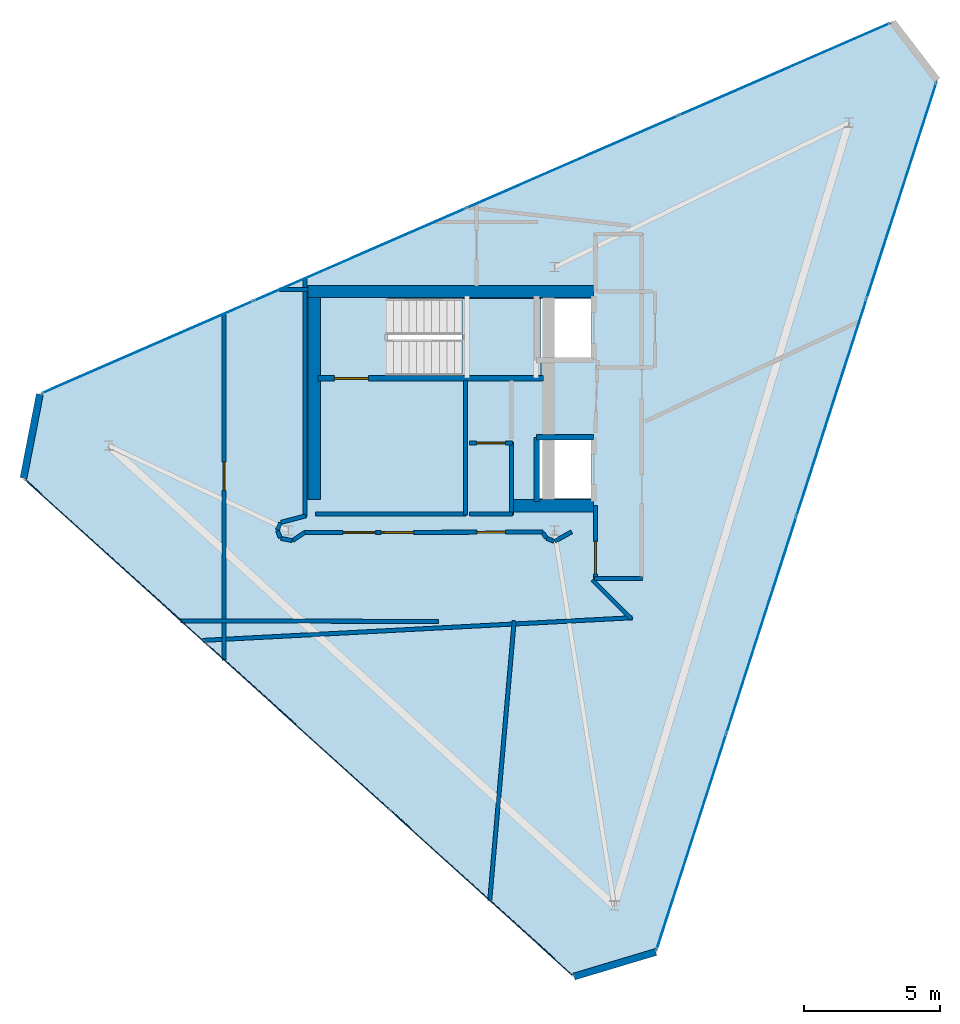
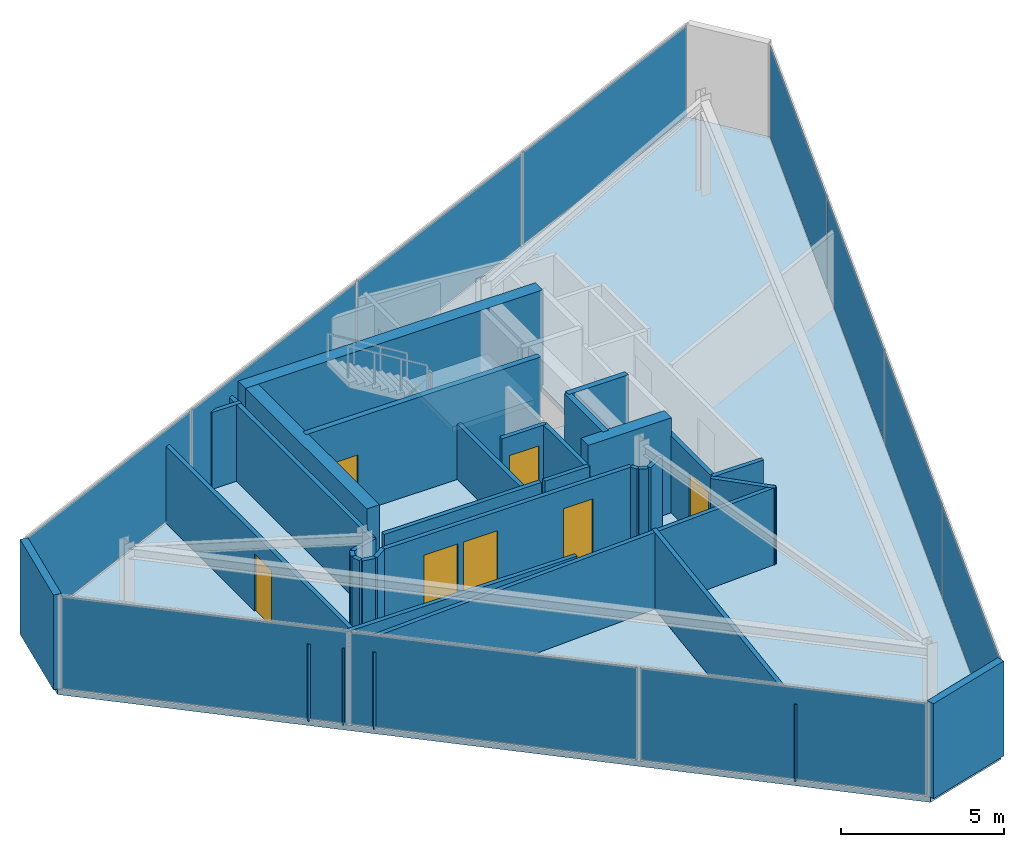
# One storey, part 13 of 15: 31 walls, 11 plates, 7 doors, 2 slabs, 7 openings, 4 elements without a shape of their own.
"""IFC4 building model written with IfcOpenShell, lengths in metres."""

import ifcopenshell
import ifcopenshell.guid

model = None  # the IFC model being written
_history = None  # IfcOwnerHistory: only IFC2X3 demands one
_inside = {}  # id of a spatial element -> (the spatial element, [elements in it])
_under = {}  # id of a project, library or spatial element -> (it, [spatial elements below it])
_declared = {}  # id of a project -> (the project, [libraries it declares])
_typed = {}  # id of a type object -> (the type object, [elements of that type])
_made_of = {}  # id of a material, layer set ... -> (it, [elements and type objects made of it])


def new_model(schema):
    """Start an empty IFC model of exactly this schema.

    Asked for "IFC4X3", IfcOpenShell would pick the latest addendum, in which some entities
    have other attributes; the version numbers below select the first issue.
    IFC2X3 requires an IfcOwnerHistory on every rooted entity: one is made here for all.
    """
    global model, _history
    if schema == "IFC4X3":
        model = ifcopenshell.file(schema_version=(4, 3, 0, 0))
    else:
        model = ifcopenshell.file(schema=schema)
    _inside.clear()
    _under.clear()
    _declared.clear()
    _typed.clear()
    _made_of.clear()
    _history = None
    if model.schema == "IFC2X3":
        org = make("IfcOrganization", Name="unknown")
        user = make(
            "IfcPersonAndOrganization",
            ThePerson=make("IfcPerson", FamilyName="unknown"),
            TheOrganization=org,
        )
        app = make(
            "IfcApplication",
            ApplicationDeveloper=org,
            Version="unknown",
            ApplicationFullName="unknown",
            ApplicationIdentifier="unknown",
        )
        _history = make(
            "IfcOwnerHistory",
            OwningUser=user,
            OwningApplication=app,
            ChangeAction="ADDED",
            CreationDate=0,
        )
    return model


def make(cls, **values):
    """One entity of the class cls with the attributes given. An attribute that is None is left unset."""
    return model.create_entity(
        cls, **{name: value for name, value in values.items() if value is not None}
    )


def rooted(cls, **values):
    """An entity with a GlobalId (a new one), such as an element, a storey or a relation."""
    return make(cls, GlobalId=ifcopenshell.guid.new(), OwnerHistory=_history, **values)


def si_unit(unit_type, name, prefix=None):
    """IfcSIUnit, for example si_unit("LENGTHUNIT", "METRE", prefix="MILLI")."""
    return make("IfcSIUnit", UnitType=unit_type, Prefix=prefix, Name=name)


def assignment(units):
    """IfcUnitAssignment: the units of a project."""
    return None if units is None else make("IfcUnitAssignment", Units=units)


def point(xyz):
    """IfcCartesianPoint."""
    return None if xyz is None else make("IfcCartesianPoint", Coordinates=xyz)


def direction(xyz):
    """IfcDirection."""
    return None if xyz is None else make("IfcDirection", DirectionRatios=xyz)


def frame(location, z_axis=None, x_axis=None):
    """IfcAxis2Placement3D, a coordinate frame: its origin and axes. An axis left out is left unset."""
    return make(
        "IfcAxis2Placement3D",
        Location=point(location),
        Axis=direction(z_axis),
        RefDirection=direction(x_axis),
    )


def frame_2d(location, x_axis=None):
    """IfcAxis2Placement2D, a coordinate frame in the plane: its origin and x axis."""
    return make(
        "IfcAxis2Placement2D", Location=point(location), RefDirection=direction(x_axis)
    )


def origin():
    """The frame at (0, 0, 0) with its axes left unset."""
    return frame((0.0, 0.0, 0.0))


def origin_2d():
    """The frame at (0, 0) in the plane with its x axis left unset."""
    return frame_2d((0.0, 0.0))


def place(relative_to, where):
    """IfcLocalPlacement: puts the frame where relative to a parent placement (None: the world)."""
    return make(
        "IfcLocalPlacement", PlacementRelTo=relative_to, RelativePlacement=where
    )


def context(
    kind, dimensions, precision=None, world=None, true_north=None, identifier=None
):
    """IfcGeometricRepresentationContext, for example the 3D "Model" context."""
    return make(
        "IfcGeometricRepresentationContext",
        ContextIdentifier=identifier,
        ContextType=kind,
        CoordinateSpaceDimension=dimensions,
        Precision=precision,
        WorldCoordinateSystem=world,
        TrueNorth=true_north,
    )


def subcontext(parent, identifier, kind, view, scale=None):
    """IfcGeometricRepresentationSubContext, for example "Body" below "Model"."""
    return make(
        "IfcGeometricRepresentationSubContext",
        ContextIdentifier=identifier,
        ContextType=kind,
        ParentContext=parent,
        TargetScale=scale,
        TargetView=view,
    )


def project(units=None, contexts=None):
    """IfcProject with its units and contexts."""
    return rooted(
        "IfcProject",
        Name="project",
        RepresentationContexts=contexts,
        UnitsInContext=assignment(units),
    )


def spatial(cls, under=None, at=None, **own):
    """A site, building, storey or space (cls), placed at a placement, below another one or the project."""
    s = rooted(cls, ObjectPlacement=at, **own)
    if under is not None:
        _under.setdefault(under.id(), (under, []))[1].append(s)
    return s


def polyline(points):
    """IfcPolyline through the points."""
    return make("IfcPolyline", Points=[point(p) for p in points])


def profile(cls, at=None, kind="AREA", **sizes):
    """A parametric profile (cls). Its sizes go by their IFC names, for example OverallWidth=200.0."""
    return make(cls, ProfileType=kind, Position=at, **sizes)


def rectangle(**sizes):
    """IfcRectangleProfileDef."""
    return profile("IfcRectangleProfileDef", **sizes)


def outline(outer, holes=None, kind="AREA"):
    """IfcArbitraryClosedProfileDef: a profile drawn as a closed curve; with holes, ...WithVoids."""
    if holes is None:
        return make("IfcArbitraryClosedProfileDef", ProfileType=kind, OuterCurve=outer)
    return make(
        "IfcArbitraryProfileDefWithVoids",
        ProfileType=kind,
        OuterCurve=outer,
        InnerCurves=holes,
    )


def extrude(swept, where, along, depth):
    """IfcExtrudedAreaSolid: the profile swept, set in the frame where, extruded along a direction by depth."""
    return make(
        "IfcExtrudedAreaSolid",
        SweptArea=swept,
        Position=where,
        ExtrudedDirection=direction(along),
        Depth=depth,
    )


def shape(context_of_items, identifier, shape_type, items):
    """IfcShapeRepresentation: the items that make up one representation, for example the "Body"."""
    return make(
        "IfcShapeRepresentation",
        ContextOfItems=context_of_items,
        RepresentationIdentifier=identifier,
        RepresentationType=shape_type,
        Items=items,
    )


def material(Name=None, Category=None):
    """IfcMaterial."""
    return make("IfcMaterial", Name=Name, Category=Category)


def layer(
    of_material, thickness, ventilated=None, Name=None, Category=None, Priority=None
):
    """IfcMaterialLayer: one layer of a wall or slab, of a material (None: an air gap)."""
    return make(
        "IfcMaterialLayer",
        Material=of_material,
        LayerThickness=thickness,
        IsVentilated=ventilated,
        Name=Name,
        Category=Category,
        Priority=Priority,
    )


def layer_set(layers, Name=None):
    """IfcMaterialLayerSet."""
    return make("IfcMaterialLayerSet", MaterialLayers=layers, LayerSetName=Name)


def made_of(thing, what):
    """Note that an element or type object is made of a material, layer set ...; save() writes the relation."""
    if what is not None:
        _made_of.setdefault(what.id(), (what, []))[1].append(thing)
    return thing


def type_object(cls, material=None, **own):
    """A type object (cls), such as IfcWallType, which elements share."""
    return made_of(rooted(cls, **own), material)


def element(
    cls,
    number,
    at=None,
    inside=None,
    cuts=None,
    type_object=None,
    material=None,
    context=None,
    identifier="Body",
    shape_type=None,
    held_by="IfcProductDefinitionShape",
    body=None,
    shapes=None,
    **own,
):
    """One element of the class cls, such as IfcWall. Its Tag is "e" and its number.

    at: its placement. inside: the storey or other place that contains it. cuts: it is an
    opening in that element (IfcRelVoidsElement). A single representation is given by context,
    identifier, shape_type and body (its items); several are given by shapes. held_by: the class
    of the entity that holds the representations. save() writes the other relations.
    """
    e = rooted(cls, Tag="e%d" % number, ObjectPlacement=at, **own)
    if body is not None:
        shapes = [shape(context, identifier, shape_type, body)]
    if shapes is not None:
        e.Representation = make(held_by, Representations=shapes)
    if inside is not None:
        _inside.setdefault(inside.id(), (inside, []))[1].append(e)
    if cuts is not None:
        rooted(
            "IfcRelVoidsElement", RelatingBuildingElement=cuts, RelatedOpeningElement=e
        )
    if type_object is not None:
        _typed.setdefault(type_object.id(), (type_object, []))[1].append(e)
    return made_of(e, material)


def fill(opening, filler):
    """IfcRelFillsElement: the door or window that sits in an opening."""
    return rooted(
        "IfcRelFillsElement",
        RelatingOpeningElement=opening,
        RelatedBuildingElement=filler,
    )


def aggregate(whole, parts):
    """IfcRelAggregates: a whole, such as a stair, and the parts it consists of."""
    return rooted("IfcRelAggregates", RelatingObject=whole, RelatedObjects=parts)


def save(model, path):
    """Write the relations noted so far, then the file.

    IfcRelAggregates (storeys below a building ...), IfcRelContainedInSpatialStructure (elements
    in a storey), IfcRelDefinesByType, IfcRelAssociatesMaterial and IfcRelDeclares: one each for
    every whole, place, type object, material and project.
    """
    for whole, parts in _under.values():
        aggregate(whole, parts)
    for where, things in _inside.values():
        rooted(
            "IfcRelContainedInSpatialStructure",
            RelatedElements=things,
            RelatingStructure=where,
        )
    for kind, things in _typed.values():
        rooted("IfcRelDefinesByType", RelatedObjects=things, RelatingType=kind)
    for what, things in _made_of.values():
        rooted("IfcRelAssociatesMaterial", RelatedObjects=things, RelatingMaterial=what)
    for by, libraries in _declared.values():
        rooted("IfcRelDeclares", RelatingContext=by, RelatedDefinitions=libraries)
    model.write(path)


model = new_model("IFC4")

# Units and contexts
model_context = context("Model", 3, precision=1e-05, world=origin(), true_north=direction((0.0, 1.0)))
body_context = subcontext(model_context, "Body", "Model", "MODEL_VIEW")
ifc_project = project(units=[si_unit("LENGTHUNIT", "METRE"), si_unit("AREAUNIT", "SQUARE_METRE"), si_unit("VOLUMEUNIT", "CUBIC_METRE"), si_unit("PLANEANGLEUNIT", "RADIAN"), si_unit("MASSUNIT", "GRAM", prefix="KILO")], contexts=[model_context])

# Site, building, storey
site_placement = place(None, origin())
site = spatial("IfcSite", under=ifc_project, at=site_placement, CompositionType="ELEMENT")
building_placement = place(site_placement, origin())
building = spatial("IfcBuilding", under=site, at=building_placement, Name="Qianvela Tower", CompositionType="ELEMENT")
storey_placement = place(building_placement, frame((0.0, 0.0, 360.050048828125)))
storey = spatial("IfcBuildingStorey", under=building, at=storey_placement, Name="L93", CompositionType="ELEMENT", Elevation=360.050048828125)

# Curtain wall, plates
ifc_material_1 = material(Name="Anodised Architectural Aluminium and Low-E Glass", Category="aluminium")
ifc_layer_1 = layer(ifc_material_1, 0.159912109375)
ifc_layer_set_1 = layer_set([ifc_layer_1], Name="Anodised Architectural Aluminium and Low-E Glass")
curtain_wall_type = type_object("IfcCurtainWallType", Name="CW-CROWN", PredefinedType="USERDEFINED", material=ifc_layer_set_1)
curtain_wall_1_placement = place(storey_placement, origin())
curtain_wall_1 = element("IfcCurtainWall", 1, at=curtain_wall_1_placement, inside=storey, type_object=curtain_wall_type, Name="L93 CW-CROWN Curtain Wall 02", ObjectType="CURTAIN_WALL_SYSTEM", PredefinedType="USERDEFINED")
ifc_material_2 = material(Name="Double-Silver Low-E Insulated Glass", Category="glass")
ifc_layer_2 = layer(ifc_material_2, 0.030029296875)
ifc_layer_set_2 = layer_set([ifc_layer_2], Name="Double-Silver Low-E Insulated Glass")
plate_type = type_object("IfcPlateType", Name="CW-CROWN-PNL", PredefinedType="CURTAIN_PANEL", material=ifc_layer_set_2)
plate_1_placement = place(storey_placement, frame((46.880615234375, 40.83740234375, 0.06005859375), z_axis=(0.0, 0.0, 1.0), x_axis=(-0.916552406262, -0.399914599103, 0.0)))
plate_1 = element("IfcPlate", 2, at=plate_1_placement, type_object=plate_type, Name="CW-8 panel 1.1", PredefinedType="CURTAIN_PANEL", context=body_context, shape_type="SweptSolid", body=[
    extrude(rectangle(XDim=8.445556640625, YDim=0.030029296875, at=origin_2d()), origin(), (0.0, 0.0, 1.0), 3.429931640625),
])
plate_2_placement = place(storey_placement, frame((39.0654296875, 37.427490234375, 0.06005859375), z_axis=(0.0, 0.0, 1.0), x_axis=(-0.916552406262, -0.399914599103, 0.0)))
plate_2 = element("IfcPlate", 3, at=plate_2_placement, type_object=plate_type, Name="CW-8 panel 2.1", PredefinedType="CURTAIN_PANEL", context=body_context, shape_type="SweptSolid", body=[
    extrude(rectangle(XDim=8.47802734375, YDim=0.030029296875, at=origin_2d()), origin(), (0.0, 0.0, 1.0), 3.429931640625),
])
plate_3_placement = place(storey_placement, frame((31.235107421875, 34.010986328125, 0.06005859375), z_axis=(0.0, 0.0, 1.0), x_axis=(-0.916552406262, -0.399914599103, 0.0)))
plate_3 = element("IfcPlate", 4, at=plate_3_placement, type_object=plate_type, Name="CW-8 panel 3.1", PredefinedType="CURTAIN_PANEL", context=body_context, shape_type="SweptSolid", body=[
    extrude(rectangle(XDim=8.47802734375, YDim=0.030029296875, at=origin_2d()), origin(), (0.0, 0.0, 1.0), 3.429931640625),
])
plate_4_placement = place(storey_placement, frame((23.419921875, 30.600830078125, 0.06005859375), z_axis=(0.0, 0.0, 1.0), x_axis=(-0.916552406262, -0.399914599103, 0.0)))
plate_4 = element("IfcPlate", 5, at=plate_4_placement, type_object=plate_type, Name="CW-8 panel 4.1", PredefinedType="CURTAIN_PANEL", context=body_context, shape_type="SweptSolid", body=[
    extrude(rectangle(XDim=8.445556640625, YDim=0.030029296875, at=origin_2d()), origin(), (0.0, 0.0, 1.0), 3.429931640625),
])
aggregate(curtain_wall_1, [plate_1, plate_2, plate_3, plate_4])

curtain_wall_2_placement = place(storey_placement, origin())
curtain_wall_2 = element("IfcCurtainWall", 6, at=curtain_wall_2_placement, inside=storey, type_object=curtain_wall_type, Name="L93 CW-CROWN Curtain Wall 04", ObjectType="CURTAIN_WALL_SYSTEM", PredefinedType="USERDEFINED")
plate_5_placement = place(storey_placement, frame((22.258544921875, 22.680419921875, 0.06005859375), z_axis=(0.0, 0.0, 1.0), x_axis=(0.741275420053, -0.671200977074, 0.0)))
plate_5 = element("IfcPlate", 7, at=plate_5_placement, type_object=plate_type, Name="CW-8 panel 1.1", PredefinedType="CURTAIN_PANEL", context=body_context, shape_type="SweptSolid", body=[
    extrude(rectangle(XDim=8.988525390625, YDim=0.030029296875, at=origin_2d()), origin(), (0.0, 0.0, 1.0), 3.429931640625),
])
plate_6_placement = place(storey_placement, frame((28.981689453125, 16.592529296875, 0.06005859375), z_axis=(0.0, 0.0, 1.0), x_axis=(0.741275420053, -0.671200977074, 0.0)))
plate_6 = element("IfcPlate", 8, at=plate_6_placement, type_object=plate_type, Name="CW-8 panel 2.1", PredefinedType="CURTAIN_PANEL", context=body_context, shape_type="SweptSolid", body=[
    extrude(rectangle(XDim=9.02099609375, YDim=0.030029296875, at=origin_2d()), origin(), (0.0, 0.0, 1.0), 3.429931640625),
])
plate_7_placement = place(storey_placement, frame((35.705078125, 10.5048828125, 0.06005859375), z_axis=(0.0, 0.0, 1.0), x_axis=(0.741275420053, -0.671200977074, 0.0)))
plate_7 = element("IfcPlate", 9, at=plate_7_placement, type_object=plate_type, Name="CW-8 panel 3.1", PredefinedType="CURTAIN_PANEL", context=body_context, shape_type="SweptSolid", body=[
    extrude(rectangle(XDim=8.988525390625, YDim=0.030029296875, at=origin_2d()), origin(), (0.0, 0.0, 1.0), 3.429931640625),
])
aggregate(curtain_wall_2, [plate_5, plate_6, plate_7])

curtain_wall_3_placement = place(storey_placement, origin())
curtain_wall_3 = element("IfcCurtainWall", 10, at=curtain_wall_3_placement, inside=storey, type_object=curtain_wall_type, Name="L93 CW-CROWN Curtain Wall 06", ObjectType="CURTAIN_WALL_SYSTEM", PredefinedType="USERDEFINED")
plate_8_placement = place(storey_placement, frame((43.450927734375, 12.3818359375, 0.06005859375), z_axis=(0.0, 0.0, 1.0), x_axis=(0.307056971117, 0.951691135027, 0.0)))
plate_8 = element("IfcPlate", 11, at=plate_8_placement, type_object=plate_type, Name="CW-8 panel 1.1", PredefinedType="CURTAIN_PANEL", context=body_context, shape_type="SweptSolid", body=[
    extrude(rectangle(XDim=8.313232421875, YDim=0.030029296875, at=origin_2d()), origin(), (0.0, 0.0, 1.0), 3.429931640625),
])
plate_9_placement = place(storey_placement, frame((46.028564453125, 20.370849609375, 0.06005859375), z_axis=(0.0, 0.0, 1.0), x_axis=(0.307056971117, 0.951691135027, 0.0)))
plate_9 = element("IfcPlate", 12, at=plate_9_placement, type_object=plate_type, Name="CW-8 panel 2.1", PredefinedType="CURTAIN_PANEL", context=body_context, shape_type="SweptSolid", body=[
    extrude(rectangle(XDim=8.345703125, YDim=0.030029296875, at=origin_2d()), origin(), (0.0, 0.0, 1.0), 3.429931640625),
])
plate_10_placement = place(storey_placement, frame((48.611083984375, 28.375244140625, 0.06005859375), z_axis=(0.0, 0.0, 1.0), x_axis=(0.307056971117, 0.951691135027, 0.0)))
plate_10 = element("IfcPlate", 13, at=plate_10_placement, type_object=plate_type, Name="CW-8 panel 3.1", PredefinedType="CURTAIN_PANEL", context=body_context, shape_type="SweptSolid", body=[
    extrude(rectangle(XDim=8.345703125, YDim=0.030029296875, at=origin_2d()), origin(), (0.0, 0.0, 1.0), 3.429931640625),
])
plate_11_placement = place(storey_placement, frame((51.188720703125, 36.364501953125, 0.06005859375), z_axis=(0.0, 0.0, 1.0), x_axis=(0.307056971117, 0.951691135027, 0.0)))
plate_11 = element("IfcPlate", 14, at=plate_11_placement, type_object=plate_type, Name="CW-8 panel 4.1", PredefinedType="CURTAIN_PANEL", context=body_context, shape_type="SweptSolid", body=[
    extrude(rectangle(XDim=8.313232421875, YDim=0.030029296875, at=origin_2d()), origin(), (0.0, 0.0, 1.0), 3.429931640625),
])
aggregate(curtain_wall_3, [plate_8, plate_9, plate_10, plate_11])

# Slab
ifc_material_3 = material(Name="Concrete C40", Category="concrete")
ifc_layer_3 = layer(ifc_material_3, 0.199951171875)
ifc_layer_set_3 = layer_set([ifc_layer_3], Name="Concrete C40")
slab_type_1 = type_object("IfcSlabType", Name="SL-CROWN-200", PredefinedType="FLOOR", material=ifc_layer_set_3)
slab_1_placement = place(storey_placement, frame((0.0, 0.0, -0.199951171875)))
element("IfcSlab", 15, at=slab_1_placement, inside=storey, type_object=slab_type_1, Name="L93 Composite Structural Floor Slab", PredefinedType="FLOOR", context=body_context, shape_type="SweptSolid", body=[
    extrude(outline(polyline([(52.50048828125, 40.4296875), (50.8564453125, 42.572265625), (19.444091796875, 28.8662109375), (18.841796875, 25.774169921875), (39.121826171875, 7.4111328125), (42.13916015625, 8.31640625), (52.50048828125, 40.4296875)]), holes=[polyline([(37.840087890625, 25.02001953125), (39.760009765625, 25.02001953125), (39.760009765625, 27.179931640625), (37.840087890625, 27.179931640625), (37.840087890625, 25.02001953125)]), polyline([(37.89990234375, 29.5400390625), (37.89990234375, 30.219970703125), (39.760009765625, 30.219970703125), (39.760009765625, 32.3798828125), (37.89990234375, 32.3798828125), (37.89990234375, 32.39990234375), (32.25, 32.39990234375), (32.25, 29.5400390625), (37.89990234375, 29.5400390625)])]), origin(), (0.0, 0.0, 1.0), 0.199951171875),
])

# Stair, slab
ifc_material_4 = material(Name="Concrete C40", Category="concrete")
stair_type = type_object("IfcStairType", Name="ST-DOGLEG-1350-R170-N22", PredefinedType="HALF_TURN_STAIR", material=ifc_material_4)
stair_placement = place(storey_placement, origin())
stair = element("IfcStair", 16, at=stair_placement, inside=storey, type_object=stair_type, Name="L93 Smoke-Proof Core Stair ST-1", PredefinedType="HALF_TURN_STAIR")
ifc_material_5 = material(Name="Concrete C40", Category="concrete")
ifc_layer_4 = layer(ifc_material_5, 0.199951171875)
ifc_layer_set_4 = layer_set([ifc_layer_4], Name="Concrete C40")
slab_type_2 = type_object("IfcSlabType", Name="SL-STAIR-LANDING-200", PredefinedType="LANDING", material=ifc_layer_set_4)
slab_2_placement = place(storey_placement, frame((0.0, 0.0, 1.675048828125)))
slab_2 = element("IfcSlab", 17, at=slab_2_placement, type_object=slab_type_2, Name="ST-1 landing 1", PredefinedType="LANDING", context=body_context, shape_type="SweptSolid", body=[
    extrude(outline(polyline([(35.0, 29.5400390625), (37.89990234375, 29.5400390625), (37.89990234375, 32.39990234375), (35.0, 32.39990234375), (35.0, 29.5400390625)])), origin(), (0.0, 0.0, 1.0), 0.199951171875),
])
aggregate(stair, [slab_2])

# Walls
ifc_material_6 = material(Name="Terracotta Cladding on Concrete C40", Category="masonry")
ifc_layer_5 = layer(ifc_material_6, 0.260009765625)
ifc_layer_set_5 = layer_set([ifc_layer_5], Name="Terracotta Cladding on Concrete C40")
wall_type_1 = type_object("IfcWallType", Name="TERRACOTTA-WALL-260", PredefinedType="SOLIDWALL", material=ifc_layer_set_5)
for number, where, z_axis, x_axis, name in (
    (18, (19.444091796875, 28.8662109375, 0.0), (0.0, 0.0, 1.0), (-0.191195326274, -0.981552009427, 0.0), "L93 Crown Terracotta Cladding Wall 3"),
    (19, (39.121826171875, 7.4111328125, 0.0), (0.0, 0.0, 1.0), (0.957819885919, 0.287369215712, 0.0), "L93 Crown Terracotta Cladding Wall 5"),
):
    element("IfcWall", number, at=place(storey_placement, frame(where, z_axis=z_axis, x_axis=x_axis)), inside=storey, type_object=wall_type_1, Name=name, PredefinedType="SOLIDWALL", context=body_context, shape_type="SweptSolid", body=[
        extrude(rectangle(XDim=3.150146484375, YDim=0.260009765625, at=frame_2d((1.5751953125, 0.0))), origin(), (0.0, 0.0, 1.0), 3.550048828125),
    ])
ifc_material_7 = material(Name="Concrete C50", Category="concrete")
ifc_layer_6 = layer(ifc_material_7, 0.449951171875)
ifc_layer_set_6 = layer_set([ifc_layer_6], Name="Concrete C50")
wall_type_2 = type_object("IfcWallType", Name="WT-CORE-450", PredefinedType="SHEAR", material=ifc_layer_set_6)
wall_1_placement = place(storey_placement, frame((29.330078125, 32.64501953125, 0.0), z_axis=(0.0, 0.0, 1.0), x_axis=(1.0, 0.0, 0.0)))
element("IfcWall", 20, at=wall_1_placement, inside=storey, type_object=wall_type_2, Name="L93 North Core Shear Wall", PredefinedType="SHEAR", context=body_context, shape_type="SweptSolid", body=[
    extrude(rectangle(XDim=10.52001953125, YDim=0.449951171875, at=frame_2d((5.260009765625, 0.0))), origin(), (0.0, 0.0, 1.0), 3.550048828125),
])
wall_2_placement = place(storey_placement, frame((36.89990234375, 24.7548828125, 0.0), z_axis=(0.0, 0.0, 1.0), x_axis=(1.0, 0.0, 0.0)))
element("IfcWall", 21, at=wall_2_placement, inside=storey, type_object=wall_type_2, Name="L93 South Core Shear Wall", PredefinedType="SHEAR", context=body_context, shape_type="SweptSolid", body=[
    extrude(rectangle(XDim=2.9501953125, YDim=0.449951171875, at=frame_2d((1.47509765625, 0.0))), origin(), (0.0, 0.0, 1.0), 3.550048828125),
])
wall_3_placement = place(storey_placement, frame((29.554931640625, 24.97998046875, 0.0), z_axis=(0.0, 0.0, 1.0), x_axis=(0.0, 1.0, 0.0)))
element("IfcWall", 22, at=wall_3_placement, inside=storey, type_object=wall_type_2, Name="L93 West Core Shear Wall", PredefinedType="SHEAR", context=body_context, shape_type="SweptSolid", body=[
    extrude(rectangle(XDim=7.43994140625, YDim=0.449951171875, at=frame_2d((3.719970703125, 0.0))), origin(), (0.0, 0.0, 1.0), 3.550048828125),
])
ifc_material_8 = material(Name="Fire-Rated Acoustic Gypsum Board")
ifc_layer_7 = layer(ifc_material_8, 0.14990234375)
ifc_layer_set_7 = layer_set([ifc_layer_7], Name="Fire-Rated Acoustic Gypsum Board")
wall_type_3 = type_object("IfcWallType", Name="WT-CORR-150", PredefinedType="PARTITIONING", material=ifc_layer_set_7)
wall_4_placement = place(storey_placement, frame((35.14990234375, 24.450927734375, 0.0), z_axis=(0.0, 0.0, 1.0), x_axis=(-1.0, 0.0, 0.0)))
element("IfcWall", 23, at=wall_4_placement, inside=storey, type_object=wall_type_3, Name="L93 Partition 1", PredefinedType="PARTITIONING", context=body_context, shape_type="SweptSolid", body=[
    extrude(rectangle(XDim=5.5498046875, YDim=0.14990234375, at=frame_2d((2.77490234375, 0.0))), origin(), (0.0, 0.0, 1.0), 2.869873046875),
])
wall_5_placement = place(storey_placement, frame((35.118896484375, 29.3798828125, 0.0), z_axis=(0.0, 0.0, 1.0), x_axis=(0.0, -1.0, 0.0)))
element("IfcWall", 24, at=wall_5_placement, inside=storey, type_object=wall_type_3, Name="L93 Partition 4", PredefinedType="PARTITIONING", context=body_context, shape_type="SweptSolid", body=[
    extrude(rectangle(XDim=4.9599609375, YDim=0.14990234375, at=frame_2d((2.47998046875, 0.0))), origin(), (0.0, 0.0, 1.0), 2.079833984375),
])

# Wall, opening, door
wall_6_placement = place(storey_placement, frame((39.910888671875, 22.050048828125, 0.0), z_axis=(0.0, 0.0, 1.0), x_axis=(0.0, 1.0, 0.0)))
wall_6 = element("IfcWall", 25, at=wall_6_placement, inside=storey, type_object=wall_type_3, Name="L93 Partition 5", PredefinedType="PARTITIONING", context=body_context, shape_type="SweptSolid", body=[
    extrude(rectangle(XDim=2.7099609375, YDim=0.14990234375, at=frame_2d((1.35498046875, 0.0))), origin(), (0.0, 0.0, 1.0), 2.869873046875),
])
opening_1_placement = place(wall_6_placement, frame((0.195068359375, 0.0, 0.0)))
opening_1 = element("IfcOpeningElement", 26, at=opening_1_placement, cuts=wall_6, Name="Opening D-LB1", PredefinedType="OPENING", context=body_context, shape_type="SweptSolid", body=[
    extrude(rectangle(XDim=1.199951171875, YDim=2.14990234375, at=frame_2d((0.60009765625, 1.074951171875))), frame((0.0, 0.0849609375, 0.0), z_axis=(0.0, -1.0, 0.0), x_axis=(1.0, 0.0, 0.0)), (0.0, 0.0, 1.0), 0.169921875),
])
ifc_material_9 = material(Name="Glazed Fire-Rated Steel Frame", Category="steel")
door_type_1 = type_object("IfcDoorType", Name="DT-LOBBY-FD90", OperationType="NOTDEFINED", PredefinedType="DOOR", material=ifc_material_9)
door_1_placement = place(opening_1_placement, origin())
door_1 = element("IfcDoor", 27, at=door_1_placement, inside=storey, type_object=door_type_1, Name="L93 Door L93 Lift Lobby to L93 Crown Maintenance Corridor", OperationType="SINGLE_SWING_RIGHT", OverallHeight=2.14990234375, OverallWidth=1.199951171875, PredefinedType="DOOR", context=body_context, shape_type="SweptSolid", body=[
    extrude(rectangle(XDim=1.199951171875, YDim=2.14990234375, at=frame_2d((0.60009765625, 1.074951171875))), frame((0.0, 0.02490234375, 0.0), z_axis=(0.0, -1.0, 0.0), x_axis=(1.0, 0.0, 0.0)), (0.0, 0.0, 1.0), 0.050048828125),
])
fill(opening_1, door_1)

# Walls
wall_7_placement = place(storey_placement, frame((41.64990234375, 22.0810546875, 0.0), z_axis=(0.0, 0.0, 1.0), x_axis=(-1.0, 0.0, 0.0)))
element("IfcWall", 28, at=wall_7_placement, inside=storey, type_object=wall_type_3, Name="L93 Partition 11", PredefinedType="PARTITIONING", context=body_context, shape_type="SweptSolid", body=[
    extrude(rectangle(XDim=1.77001953125, YDim=0.14990234375, at=frame_2d((0.885009765625, 0.0))), origin(), (0.0, 0.0, 1.0), 2.869873046875),
])
wall_8_placement = place(storey_placement, frame((36.85009765625, 24.450927734375, 0.0), z_axis=(0.0, 0.0, 1.0), x_axis=(-1.0, 0.0, 0.0)))
element("IfcWall", 29, at=wall_8_placement, inside=storey, type_object=wall_type_3, Name="L93 Partition 12", PredefinedType="PARTITIONING", context=body_context, shape_type="SweptSolid", body=[
    extrude(rectangle(XDim=1.570068359375, YDim=0.14990234375, at=frame_2d((0.78515625, 0.0))), origin(), (0.0, 0.0, 1.0), 2.869873046875),
])

# Wall, opening, door
wall_9_placement = place(storey_placement, frame((35.280029296875, 27.069091796875, 0.0), z_axis=(0.0, 0.0, 1.0), x_axis=(1.0, 0.0, 0.0)))
wall_9 = element("IfcWall", 30, at=wall_9_placement, inside=storey, type_object=wall_type_3, Name="L93 Partition 14", PredefinedType="PARTITIONING", context=body_context, shape_type="SweptSolid", body=[
    extrude(rectangle(XDim=1.570068359375, YDim=0.14990234375, at=frame_2d((0.78515625, 0.0))), origin(), (0.0, 0.0, 1.0), 2.869873046875),
])
opening_2_placement = place(wall_9_placement, frame((0.260009765625, 0.0, 0.0)))
opening_2 = element("IfcOpeningElement", 31, at=opening_2_placement, cuts=wall_9, Name="Opening D-PL1", PredefinedType="OPENING", context=body_context, shape_type="SweptSolid", body=[
    extrude(rectangle(XDim=1.050048828125, YDim=2.14990234375, at=frame_2d((0.52490234375, 1.074951171875))), frame((0.0, 0.0849609375, 0.0), z_axis=(0.0, -1.0, 0.0), x_axis=(1.0, 0.0, 0.0)), (0.0, 0.0, 1.0), 0.169921875),
])
ifc_material_10 = material(Name="Insulated Steel Fire Door Q355B", Category="steel")
door_type_2 = type_object("IfcDoorType", Name="DT-PLANT-FD90", OperationType="NOTDEFINED", PredefinedType="DOOR", material=ifc_material_10)
door_2_placement = place(opening_2_placement, origin())
door_2 = element("IfcDoor", 32, at=door_2_placement, inside=storey, type_object=door_type_2, Name="L93 Door L93 Crown Smoke Fan Plant Room to L93 Crown Telecoms Equipment Room", OperationType="SINGLE_SWING_LEFT", OverallHeight=2.14990234375, OverallWidth=1.050048828125, PredefinedType="DOOR", context=body_context, shape_type="SweptSolid", body=[
    extrude(rectangle(XDim=1.050048828125, YDim=2.14990234375, at=frame_2d((0.52490234375, 1.074951171875))), frame((0.0, 0.02490234375, 0.0), z_axis=(0.0, -1.0, 0.0), x_axis=(1.0, 0.0, 0.0)), (0.0, 0.0, 1.0), 0.050048828125),
])
fill(opening_2, door_2)

# Walls
wall_10_placement = place(storey_placement, frame((36.819091796875, 27.10009765625, 0.0), z_axis=(0.0, 0.0, 1.0), x_axis=(0.0, -1.0, 0.0)))
element("IfcWall", 33, at=wall_10_placement, inside=storey, type_object=wall_type_3, Name="L93 Partition 15", PredefinedType="PARTITIONING", context=body_context, shape_type="SweptSolid", body=[
    extrude(rectangle(XDim=2.68017578125, YDim=0.14990234375, at=frame_2d((1.340087890625, 0.0))), origin(), (0.0, 0.0, 1.0), 2.869873046875),
])
wall_11_placement = place(storey_placement, frame((29.2421875, 24.38427734375, 0.0), z_axis=(0.0, 0.0, 1.0), x_axis=(-0.967554205956, -0.252663528309, 0.0)))
element("IfcWall", 34, at=wall_11_placement, inside=storey, type_object=wall_type_3, Name="L93 Partition 25", PredefinedType="PARTITIONING", context=body_context, shape_type="SweptSolid", body=[
    extrude(rectangle(XDim=0.946044921875, YDim=0.14990234375, at=frame_2d((0.47314453125, 0.0))), origin(), (0.0, 0.0, 1.0), 2.869873046875),
])
for number, where, z_axis, x_axis, name in (
    (35, (28.30615234375, 24.126953125, 0.0), (0.0, 0.0, 1.0), (-0.382802560388, -0.92383017907, 0.0), "L93 Partition 26"),
    (36, (28.1962890625, 23.838134765625, 0.0), (0.0, 0.0, 1.0), (0.382802560388, -0.92383017907, 0.0), "L93 Partition 27"),
):
    element("IfcWall", number, at=place(storey_placement, frame(where, z_axis=z_axis, x_axis=x_axis)), inside=storey, type_object=wall_type_3, Name=name, PredefinedType="PARTITIONING", context=body_context, shape_type="SweptSolid", body=[
        extrude(rectangle(XDim=0.287109375, YDim=0.14990234375, at=frame_2d((0.1435546875, 0.0))), origin(), (0.0, 0.0, 1.0), 2.869873046875),
    ])
wall_12_placement = place(storey_placement, frame((28.328857421875, 23.554443359375, 0.0), z_axis=(0.0, 0.0, 1.0), x_axis=(0.980782960085, -0.195101986683, 0.0)))
element("IfcWall", 37, at=wall_12_placement, inside=storey, type_object=wall_type_3, Name="L93 Partition 28", PredefinedType="PARTITIONING", context=body_context, shape_type="SweptSolid", body=[
    extrude(rectangle(XDim=0.416748046875, YDim=0.14990234375, at=frame_2d((0.20849609375, 0.0))), origin(), (0.0, 0.0, 1.0), 2.869873046875),
])
wall_13_placement = place(storey_placement, frame((28.7607421875, 23.477783203125, 0.0), z_axis=(0.0, 0.0, 1.0), x_axis=(0.831482899293, 0.555550347118, 0.0)))
element("IfcWall", 38, at=wall_13_placement, inside=storey, type_object=wall_type_3, Name="L93 Partition 29", PredefinedType="PARTITIONING", context=body_context, shape_type="SweptSolid", body=[
    extrude(rectangle(XDim=0.530029296875, YDim=0.14990234375, at=frame_2d((0.26513671875, 0.0))), origin(), (0.0, 0.0, 1.0), 2.869873046875),
])

# Wall, openings, doors
wall_14_placement = place(storey_placement, frame((29.184326171875, 23.76708984375, 0.0), z_axis=(0.0, 0.0, 1.0), x_axis=(0.999996878137, 0.002498742824, 0.0)))
wall_14 = element("IfcWall", 39, at=wall_14_placement, inside=storey, type_object=wall_type_3, Name="L93 Partition 30", PredefinedType="PARTITIONING", context=body_context, shape_type="SweptSolid", body=[
    extrude(rectangle(XDim=8.79345703125, YDim=0.14990234375, at=frame_2d((4.396728515625, 0.0))), origin(), (0.0, 0.0, 1.0), 2.869873046875),
])
opening_3_placement = place(wall_14_placement, frame((2.8310546875, 0.0, 0.0)))
opening_3 = element("IfcOpeningElement", 40, at=opening_3_placement, cuts=wall_14, Name="Opening D-LB1", PredefinedType="OPENING", context=body_context, shape_type="SweptSolid", body=[
    extrude(rectangle(XDim=1.199951171875, YDim=2.14990234375, at=frame_2d((0.60009765625, 1.074951171875))), frame((0.0, 0.0849609375, 0.0), z_axis=(0.0, -1.0, 0.0), x_axis=(1.0, 0.0, 0.0)), (0.0, 0.0, 1.0), 0.169921875),
])
opening_4_placement = place(wall_14_placement, frame((6.35888671875, 0.0, 0.0)))
opening_4 = element("IfcOpeningElement", 41, at=opening_4_placement, cuts=wall_14, Name="Opening D-PL1", PredefinedType="OPENING", context=body_context, shape_type="SweptSolid", body=[
    extrude(rectangle(XDim=1.050048828125, YDim=2.14990234375, at=frame_2d((0.52490234375, 1.074951171875))), frame((0.0, 0.0849609375, 0.0), z_axis=(0.0, -1.0, 0.0), x_axis=(1.0, 0.0, 0.0)), (0.0, 0.0, 1.0), 0.169921875),
])
opening_5_placement = place(wall_14_placement, frame((1.430908203125, 0.0, 0.0)))
opening_5 = element("IfcOpeningElement", 42, at=opening_5_placement, cuts=wall_14, Name="Opening D-LB1", PredefinedType="OPENING", context=body_context, shape_type="SweptSolid", body=[
    extrude(rectangle(XDim=1.199951171875, YDim=2.14990234375, at=frame_2d((0.60009765625, 1.074951171875))), frame((0.0, 0.0849609375, 0.0), z_axis=(0.0, -1.0, 0.0), x_axis=(1.0, 0.0, 0.0)), (0.0, 0.0, 1.0), 0.169921875),
])
door_3_placement = place(opening_3_placement, origin())
door_3 = element("IfcDoor", 43, at=door_3_placement, inside=storey, type_object=door_type_1, Name="L93 Door L93 Firefighting Lobby North to L93 Crown Maintenance Corridor", OperationType="SINGLE_SWING_LEFT", OverallHeight=2.14990234375, OverallWidth=1.199951171875, PredefinedType="DOOR", context=body_context, shape_type="SweptSolid", body=[
    extrude(rectangle(XDim=1.199951171875, YDim=2.14990234375, at=frame_2d((0.60009765625, 1.074951171875))), frame((0.0, 0.02490234375, 0.0), z_axis=(0.0, -1.0, 0.0), x_axis=(1.0, 0.0, 0.0)), (0.0, 0.0, 1.0), 0.050048828125),
])
fill(opening_3, door_3)
door_4_placement = place(opening_5_placement, origin())
door_4 = element("IfcDoor", 44, at=door_4_placement, inside=storey, type_object=door_type_1, Name="L93 Door L93 Firefighting Lobby North to L93 Crown Maintenance Corridor", OperationType="SINGLE_SWING_LEFT", OverallHeight=2.14990234375, OverallWidth=1.199951171875, PredefinedType="DOOR", context=body_context, shape_type="SweptSolid", body=[
    extrude(rectangle(XDim=1.199951171875, YDim=2.14990234375, at=frame_2d((0.60009765625, 1.074951171875))), frame((0.0, 0.02490234375, 0.0), z_axis=(0.0, -1.0, 0.0), x_axis=(1.0, 0.0, 0.0)), (0.0, 0.0, 1.0), 0.050048828125),
])
fill(opening_5, door_4)
door_5_placement = place(opening_4_placement, origin())
door_5 = element("IfcDoor", 45, at=door_5_placement, inside=storey, type_object=door_type_2, Name="L93 Door L93 Crown Telecoms Equipment Room to L93 Crown Maintenance Corridor", OperationType="SINGLE_SWING_LEFT", OverallHeight=2.14990234375, OverallWidth=1.050048828125, PredefinedType="DOOR", context=body_context, shape_type="SweptSolid", body=[
    extrude(rectangle(XDim=1.050048828125, YDim=2.14990234375, at=frame_2d((0.52490234375, 1.074951171875))), frame((0.0, 0.02490234375, 0.0), z_axis=(0.0, -1.0, 0.0), x_axis=(1.0, 0.0, 0.0)), (0.0, 0.0, 1.0), 0.050048828125),
])
fill(opening_4, door_5)

# Walls
wall_15_placement = place(storey_placement, frame((37.977783203125, 23.763916015625, 0.0), z_axis=(0.0, 0.0, 1.0), x_axis=(0.556130652598, -0.831094878604, 0.0)))
element("IfcWall", 46, at=wall_15_placement, inside=storey, type_object=wall_type_3, Name="L93 Partition 31", PredefinedType="PARTITIONING", context=body_context, shape_type="SweptSolid", body=[
    extrude(rectangle(XDim=0.236083984375, YDim=0.14990234375, at=frame_2d((0.1181640625, 0.0))), origin(), (0.0, 0.0, 1.0), 2.869873046875),
])
wall_16_placement = place(storey_placement, frame((38.123046875, 23.55615234375, 0.0), z_axis=(0.0, 0.0, 1.0), x_axis=(0.92383017907, -0.382802560388, 0.0)))
element("IfcWall", 47, at=wall_16_placement, inside=storey, type_object=wall_type_3, Name="L93 Partition 32", PredefinedType="PARTITIONING", context=body_context, shape_type="SweptSolid", body=[
    extrude(rectangle(XDim=0.287109375, YDim=0.14990234375, at=frame_2d((0.1435546875, 0.0))), origin(), (0.0, 0.0, 1.0), 2.869873046875),
])
wall_17_placement = place(storey_placement, frame((38.4150390625, 23.447998046875, 0.0), z_axis=(0.0, 0.0, 1.0), x_axis=(0.872599584194, 0.488436245241, 0.0)))
element("IfcWall", 48, at=wall_17_placement, inside=storey, type_object=wall_type_3, Name="L93 Partition 33", PredefinedType="PARTITIONING", context=body_context, shape_type="SweptSolid", body=[
    extrude(rectangle(XDim=0.711669921875, YDim=0.14990234375, at=frame_2d((0.35595703125, 0.0))), origin(), (0.0, 0.0, 1.0), 2.869873046875),
])
wall_18_placement = place(storey_placement, frame((39.796142578125, 22.028076171875, 0.0), z_axis=(0.0, 0.0, 1.0), x_axis=(0.707106781187, -0.707106781187, 0.0)))
element("IfcWall", 49, at=wall_18_placement, inside=storey, type_object=wall_type_3, Name="L93 Partition 36", PredefinedType="PARTITIONING", context=body_context, shape_type="SweptSolid", body=[
    extrude(rectangle(XDim=2.050537109375, YDim=0.14990234375, at=frame_2d((1.025390625, 0.0))), origin(), (0.0, 0.0, 1.0), 2.869873046875),
])
wall_19_placement = place(storey_placement, frame((41.26806640625, 20.631103515625, 0.0), z_axis=(0.0, 0.0, 1.0), x_axis=(-0.998609987024, -0.05270762579, 0.0)))
element("IfcWall", 50, at=wall_19_placement, inside=storey, type_object=wall_type_3, Name="L93 Partition 37", PredefinedType="PARTITIONING", context=body_context, shape_type="SweptSolid", body=[
    extrude(rectangle(XDim=15.845947265625, YDim=0.14990234375, at=frame_2d((7.9228515625, 0.0))), origin(), (0.0, 0.0, 1.0), 2.869873046875),
])

# Wall, opening, door
wall_20_placement = place(storey_placement, frame((26.23095703125, 19.0634765625, 0.0), z_axis=(0.0, 0.0, 1.0), x_axis=(0.0, 1.0, 0.0)))
wall_20 = element("IfcWall", 51, at=wall_20_placement, inside=storey, type_object=wall_type_3, Name="L93 Partition 38", PredefinedType="PARTITIONING", context=body_context, shape_type="SweptSolid", body=[
    extrude(rectangle(XDim=12.783935546875, YDim=0.14990234375, at=frame_2d((6.39208984375, 0.0))), origin(), (0.0, 0.0, 1.0), 2.869873046875),
])
opening_6_placement = place(wall_20_placement, frame((6.260498046875, 0.0, 0.0)))
opening_6 = element("IfcOpeningElement", 52, at=opening_6_placement, cuts=wall_20, Name="Opening D-PL1", PredefinedType="OPENING", context=body_context, shape_type="SweptSolid", body=[
    extrude(rectangle(XDim=1.050048828125, YDim=2.14990234375, at=frame_2d((0.52490234375, 1.074951171875))), frame((0.0, 0.0849609375, 0.0), z_axis=(0.0, -1.0, 0.0), x_axis=(1.0, 0.0, 0.0)), (0.0, 0.0, 1.0), 0.169921875),
])
door_6_placement = place(opening_6_placement, origin())
door_6 = element("IfcDoor", 53, at=door_6_placement, inside=storey, type_object=door_type_2, Name="L93 Door L93 Heat Recovery Ventilation Plant Room to L93 Crown Maintenance Corridor", OperationType="SINGLE_SWING_LEFT", OverallHeight=2.14990234375, OverallWidth=1.050048828125, PredefinedType="DOOR", context=body_context, shape_type="SweptSolid", body=[
    extrude(rectangle(XDim=1.050048828125, YDim=2.14990234375, at=frame_2d((0.52490234375, 1.074951171875))), frame((0.0, 0.02490234375, 0.0), z_axis=(0.0, -1.0, 0.0), x_axis=(1.0, 0.0, 0.0)), (0.0, 0.0, 1.0), 0.050048828125),
])
fill(opening_6, door_6)

# Walls
wall_21_placement = place(storey_placement, frame((29.218994140625, 33.151123046875, 0.0), z_axis=(0.0, 0.0, 1.0), x_axis=(0.0, -1.0, 0.0)))
element("IfcWall", 54, at=wall_21_placement, inside=storey, type_object=wall_type_3, Name="L93 Partition 40", PredefinedType="PARTITIONING", context=body_context, shape_type="SweptSolid", body=[
    extrude(rectangle(XDim=8.796875, YDim=0.14990234375, at=frame_2d((4.3984375, 0.0))), origin(), (0.0, 0.0, 1.0), 2.869873046875),
])
wall_22_placement = place(storey_placement, frame((24.62939453125, 20.515625, 0.0), z_axis=(0.0, 0.0, 1.0), x_axis=(0.999997674164, -0.002156772142, 0.0)))
element("IfcWall", 55, at=wall_22_placement, inside=storey, type_object=wall_type_3, Name="L93 Partition 43 seg 1", PredefinedType="PARTITIONING", context=body_context, shape_type="SweptSolid", body=[
    extrude(rectangle(XDim=9.508544921875, YDim=0.14990234375, at=frame_2d((4.75439453125, 0.0))), origin(), (0.0, 0.0, 1.0), 2.869873046875),
])
wall_23_placement = place(storey_placement, frame((36.91943359375, 20.522705078125, 0.0), z_axis=(0.0, 0.0, 1.0), x_axis=(-0.087163442528, -0.996194024418, 0.0)))
element("IfcWall", 56, at=wall_23_placement, inside=storey, type_object=wall_type_3, Name="L93 Partition 44", PredefinedType="PARTITIONING", context=body_context, shape_type="SweptSolid", body=[
    extrude(rectangle(XDim=10.36083984375, YDim=0.14990234375, at=frame_2d((5.180419921875, 0.0))), origin(), (0.0, 0.0, 1.0), 2.869873046875),
])
wall_24_placement = place(storey_placement, frame((29.330078125, 32.721923828125, 0.0), z_axis=(0.0, 0.0, 1.0), x_axis=(-0.999987098786, 0.005079592744, 0.0)))
element("IfcWall", 57, at=wall_24_placement, inside=storey, type_object=wall_type_3, Name="L93 Partition 59 seg 1", PredefinedType="PARTITIONING", context=body_context, shape_type="SweptSolid", body=[
    extrude(rectangle(XDim=1.057373046875, YDim=0.14990234375, at=frame_2d((0.52880859375, 0.0))), origin(), (0.0, 0.0, 1.0), 2.869873046875),
])

# Wall, opening, door
ifc_material_11 = material(Name="Concrete C50", Category="concrete")
ifc_layer_8 = layer(ifc_material_11, 0.199951171875)
ifc_layer_set_8 = layer_set([ifc_layer_8], Name="Concrete C50")
wall_type_4 = type_object("IfcWallType", Name="WT-SHAFT-200", PredefinedType="SOLIDWALL", material=ifc_layer_set_8)
wall_25_placement = place(storey_placement, frame((29.699951171875, 29.449951171875, 0.0), z_axis=(0.0, 0.0, 1.0), x_axis=(1.0, 0.0, 0.0)))
wall_25 = element("IfcWall", 58, at=wall_25_placement, inside=storey, type_object=wall_type_4, Name="L93 Stair ST-1 South Wall", PredefinedType="SOLIDWALL", context=body_context, shape_type="SweptSolid", body=[
    extrude(rectangle(XDim=8.300048828125, YDim=0.199951171875, at=frame_2d((4.14990234375, 0.0))), origin(), (0.0, 0.0, 1.0), 3.550048828125),
])
opening_7_placement = place(wall_25_placement, frame((0.594970703125, 0.0, 0.0)))
opening_7 = element("IfcOpeningElement", 59, at=opening_7_placement, cuts=wall_25, Name="Opening D-ST1", PredefinedType="OPENING", context=body_context, shape_type="SweptSolid", body=[
    extrude(rectangle(XDim=1.25, YDim=2.14990234375, at=frame_2d((0.625, 1.074951171875))), frame((0.0, 0.10986328125, 0.0), z_axis=(0.0, -1.0, 0.0), x_axis=(1.0, 0.0, 0.0)), (0.0, 0.0, 1.0), 0.219970703125),
])
ifc_material_12 = material(Name="Galvanised Fire Steel Q355B", Category="steel")
door_type_3 = type_object("IfcDoorType", Name="DT-STAIR-FD90", OperationType="NOTDEFINED", PredefinedType="DOOR", material=ifc_material_12)
door_7_placement = place(opening_7_placement, origin())
door_7 = element("IfcDoor", 60, at=door_7_placement, inside=storey, type_object=door_type_3, Name="L93 Stair ST-1 Exit Door", OperationType="SINGLE_SWING_LEFT", OverallHeight=2.14990234375, OverallWidth=1.25, PredefinedType="DOOR", context=body_context, shape_type="SweptSolid", body=[
    extrude(rectangle(XDim=1.25, YDim=2.14990234375, at=frame_2d((0.625, 1.074951171875))), frame((0.0, 0.02490234375, 0.0), z_axis=(0.0, -1.0, 0.0), x_axis=(1.0, 0.0, 0.0)), (0.0, 0.0, 1.0), 0.050048828125),
])
fill(opening_7, door_7)

# Walls
wall_26_placement = place(storey_placement, frame((37.75, 24.919921875, 0.0), z_axis=(0.0, 0.0, 1.0), x_axis=(0.0, 1.0, 0.0)))
element("IfcWall", 61, at=wall_26_placement, inside=storey, type_object=wall_type_4, Name="L93 Lift FL-2 W Shaft Wall", PredefinedType="SOLIDWALL", context=body_context, shape_type="SweptSolid", body=[
    extrude(rectangle(XDim=2.360107421875, YDim=0.199951171875, at=frame_2d((1.18017578125, 0.0))), origin(), (0.0, 0.0, 1.0), 3.550048828125),
])
wall_27_placement = place(storey_placement, frame((37.75, 27.280029296875, 0.0), z_axis=(0.0, 0.0, 1.0), x_axis=(1.0, 0.0, 0.0)))
element("IfcWall", 62, at=wall_27_placement, inside=storey, type_object=wall_type_4, Name="L93 Lift FL-2 N Shaft Wall", PredefinedType="SOLIDWALL", context=body_context, shape_type="SweptSolid", body=[
    extrude(rectangle(XDim=2.10009765625, YDim=0.199951171875, at=frame_2d((1.050048828125, 0.0))), origin(), (0.0, 0.0, 1.0), 3.550048828125),
])

save(model, "model.ifc")
